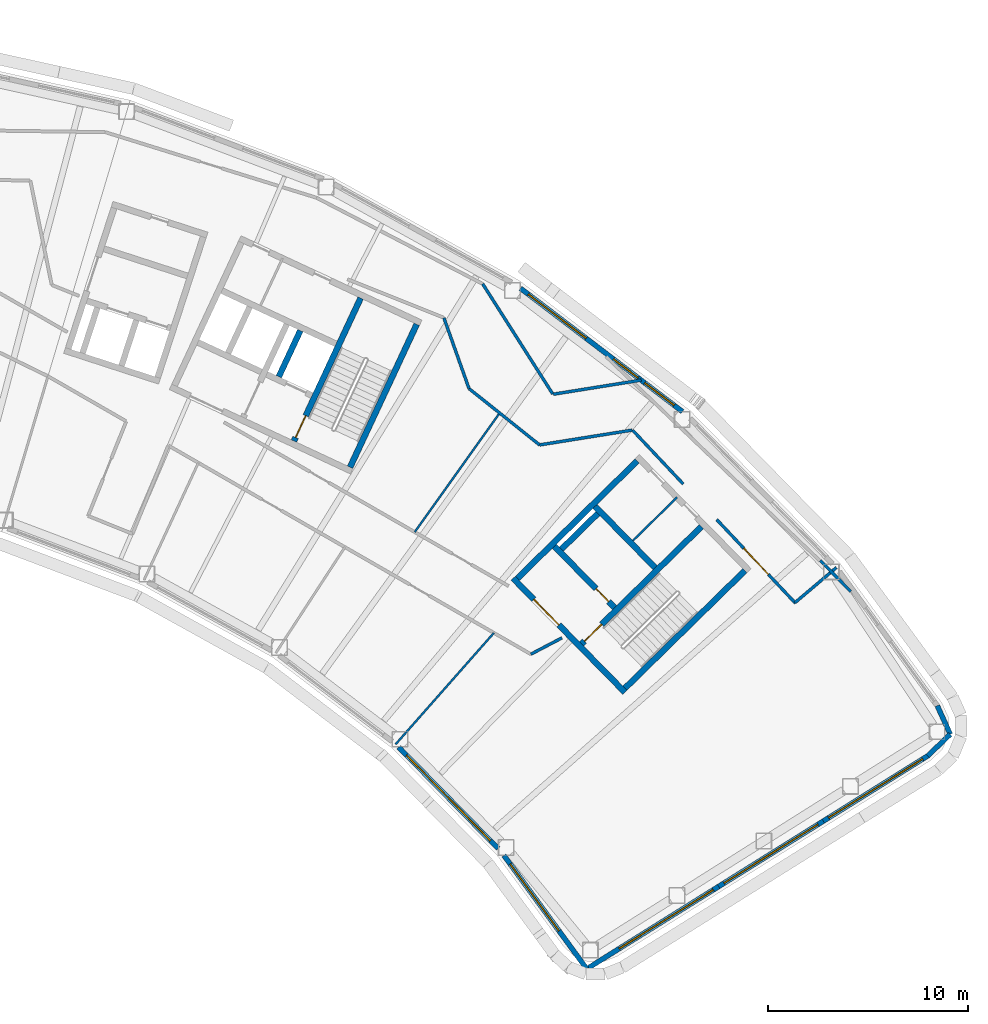
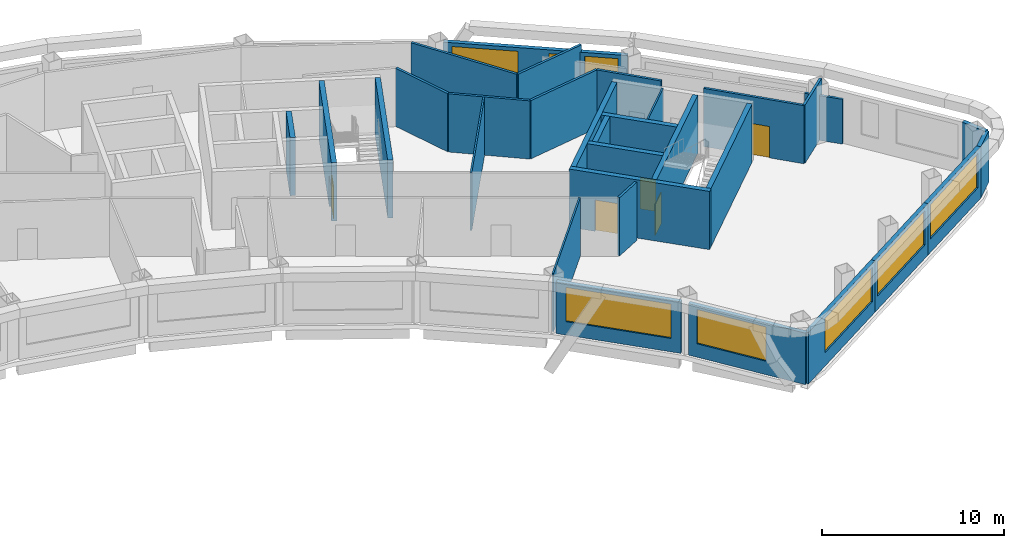
# One storey, part 9 of 14: 31 walls, 8 windows, 5 doors, 13 openings.
"""IFC4 building model written with IfcOpenShell, lengths in metres."""

from ifc_helpers import new_model, si_unit, direction, frame, frame_2d, origin, place, context, subcontext, project, spatial, rectangle, extrude, material, layer, layer_set, type_object, element, fill, save


model = new_model("IFC4")

# Units and contexts
model_context = context("Model", 3, precision=1e-05, world=origin(), true_north=direction((0.0, 1.0)))
body_context = subcontext(model_context, "Body", "Model", "MODEL_VIEW")
ifc_project = project(units=[si_unit("LENGTHUNIT", "METRE"), si_unit("AREAUNIT", "SQUARE_METRE"), si_unit("VOLUMEUNIT", "CUBIC_METRE"), si_unit("PLANEANGLEUNIT", "RADIAN"), si_unit("MASSUNIT", "GRAM", prefix="KILO")], contexts=[model_context])

# Site, building, storey
site_placement = place(None, origin())
site = spatial("IfcSite", under=ifc_project, at=site_placement, CompositionType="ELEMENT")
building_placement = place(site_placement, origin())
building = spatial("IfcBuilding", under=site, at=building_placement, Name="Tuul Gate Civic Tower", CompositionType="ELEMENT")
storey_placement = place(building_placement, frame((0.0, 0.0, 323.89990234375)))
storey = spatial("IfcBuildingStorey", under=building, at=storey_placement, Name="Level 73", CompositionType="ELEMENT", Elevation=323.89990234375)

# Wall, opening, door
ifc_material_1 = material(Name="Concrete C50/60", Category="concrete")
ifc_layer_1 = layer(ifc_material_1, 0.300048828125)
ifc_layer_set_1 = layer_set([ifc_layer_1], Name="Concrete C50/60")
wall_type_1 = type_object("IfcWallType", Name="Core wall C50/60", PredefinedType="SHEAR", material=ifc_layer_set_1)
wall_1_placement = place(storey_placement, frame((48.22509765625, -18.327880859375, 0.0), z_axis=(0.0, 0.0, 1.0), x_axis=(-0.700021979774, 0.714121297703, 0.0)))
wall_1 = element("IfcWall", 1, at=wall_1_placement, inside=storey, type_object=wall_type_1, Name="Core wall", PredefinedType="SHEAR", context=body_context, shape_type="SweptSolid", body=[
    extrude(rectangle(XDim=8.0, YDim=0.300048828125, at=frame_2d((4.0, 0.0))), origin(), (0.0, 0.0, 1.0), 3.900146484375),
])
opening_1_placement = place(wall_1_placement, frame((4.72509765625, 0.0, 0.0)))
opening_1 = element("IfcOpeningElement", 2, at=opening_1_placement, cuts=wall_1, Name="Opening LB-E1-LOBBY-1", PredefinedType="OPENING", context=body_context, shape_type="SweptSolid", body=[
    extrude(rectangle(XDim=1.800048828125, YDim=2.10009765625, at=frame_2d((0.89990234375, 1.050048828125))), frame((0.0, 0.16015625, 0.0), z_axis=(0.0, -1.0, 0.0), x_axis=(1.0, 0.0, 0.0)), (0.0, 0.0, 1.0), 0.320068359375),
])
ifc_material_2 = material(Name="Steel", Category="steel")
door_type_1 = type_object("IfcDoorType", Name="Lobby door", OperationType="DOUBLE_DOOR_SINGLE_SWING", PredefinedType="DOOR", material=ifc_material_2)
door_1_placement = place(opening_1_placement, frame((1.800048828125, 0.0, 0.0), z_axis=(0.0, 0.0, 1.0), x_axis=(-1.0, 0.0, 0.0)))
door_1 = element("IfcDoor", 3, at=door_1_placement, inside=storey, type_object=door_type_1, Name="Lobby door E1-LOBBY", OperationType="DOUBLE_DOOR_SINGLE_SWING", OverallHeight=2.10009765625, OverallWidth=1.800048828125, PredefinedType="DOOR", context=body_context, shape_type="SweptSolid", body=[
    extrude(rectangle(XDim=1.800048828125, YDim=2.10009765625, at=frame_2d((0.900146484375, 1.050048828125))), frame((0.0, 0.02490234375, 0.0), z_axis=(0.0, -1.0, 0.0), x_axis=(1.0, 0.0, 0.0)), (0.0, 0.0, 1.0), 0.050048828125),
])
fill(opening_1, door_1)

wall_2_placement = place(storey_placement, frame((47.701904296875, -14.079833984375, 0.0), z_axis=(0.0, 0.0, 1.0), x_axis=(-0.700002721075, 0.714140175657, 0.0)))
wall_2 = element("IfcWall", 4, at=wall_2_placement, inside=storey, type_object=wall_type_1, Name="Core wall", PredefinedType="SHEAR", context=body_context, shape_type="SweptSolid", body=[
    extrude(rectangle(XDim=4.300048828125, YDim=0.300048828125, at=frame_2d((2.14990234375, 0.0))), origin(), (0.0, 0.0, 1.0), 3.900146484375),
])
opening_2_placement = place(wall_2_placement, frame((0.425048828125, 0.0, 0.0)))
opening_2 = element("IfcOpeningElement", 5, at=opening_2_placement, cuts=wall_2, Name="Opening FB-E1A1", PredefinedType="OPENING", context=body_context, shape_type="SweptSolid", body=[
    extrude(rectangle(XDim=0.89990234375, YDim=2.10009765625, at=frame_2d((0.449951171875, 1.050048828125))), frame((0.0, 0.16015625, 0.0), z_axis=(0.0, -1.0, 0.0), x_axis=(1.0, 0.0, 0.0)), (0.0, 0.0, 1.0), 0.320068359375),
])
ifc_material_3 = material(Name="Steel", Category="steel")
door_type_2 = type_object("IfcDoorType", Name="Store door", OperationType="NOTDEFINED", PredefinedType="DOOR", material=ifc_material_3)
door_2_placement = place(opening_2_placement, frame((0.89990234375, 0.0, 0.0), z_axis=(0.0, 0.0, 1.0), x_axis=(-1.0, 0.0, 0.0)))
door_2 = element("IfcDoor", 6, at=door_2_placement, inside=storey, type_object=door_type_2, Name="Store door E1A1", OperationType="SINGLE_SWING_RIGHT", OverallHeight=2.10009765625, OverallWidth=0.89990234375, PredefinedType="DOOR", context=body_context, shape_type="SweptSolid", body=[
    extrude(rectangle(XDim=0.89990234375, YDim=2.10009765625, at=frame_2d((0.449951171875, 1.050048828125))), frame((0.0, 0.02490234375, 0.0), z_axis=(0.0, -1.0, 0.0), x_axis=(1.0, 0.0, 0.0)), (0.0, 0.0, 1.0), 0.050048828125),
])
fill(opening_2, door_2)

# Walls
wall_3_placement = place(storey_placement, frame((49.737060546875, -12.0849609375, 0.0), z_axis=(0.0, 0.0, 1.0), x_axis=(-0.700002721075, 0.714140175657, 0.0)))
element("IfcWall", 7, at=wall_3_placement, inside=storey, type_object=wall_type_1, Name="Core wall", PredefinedType="SHEAR", context=body_context, shape_type="SweptSolid", body=[
    extrude(rectangle(XDim=4.300048828125, YDim=0.300048828125, at=frame_2d((2.14990234375, 0.0))), origin(), (0.0, 0.0, 1.0), 3.900146484375),
])
wall_4_placement = place(storey_placement, frame((48.227294921875, -18.115966796875, 0.0), z_axis=(0.0, 0.0, 1.0), x_axis=(0.714105315431, 0.700038283577, 0.0)))
element("IfcWall", 8, at=wall_4_placement, inside=storey, type_object=wall_type_1, Name="Core wall", PredefinedType="SHEAR", context=body_context, shape_type="SweptSolid", body=[
    extrude(rectangle(XDim=8.400146484375, YDim=0.300048828125, at=frame_2d((4.2001953125, 0.0))), origin(), (0.0, 0.0, 1.0), 3.900146484375),
])

# Wall, opening, door
wall_5_placement = place(storey_placement, frame((46.05712890625, -15.902099609375, 0.0), z_axis=(0.0, 0.0, 1.0), x_axis=(0.714134086973, 0.700008932674, 0.0)))
wall_5 = element("IfcWall", 9, at=wall_5_placement, inside=storey, type_object=wall_type_1, Name="Core wall", PredefinedType="SHEAR", context=body_context, shape_type="SweptSolid", body=[
    extrude(rectangle(XDim=8.400146484375, YDim=0.300048828125, at=frame_2d((4.2001953125, 0.0))), origin(), (0.0, 0.0, 1.0), 3.900146484375),
])
opening_3_placement = place(wall_5_placement, frame((0.199951171875, 0.0, 0.0)))
opening_3 = element("IfcOpeningElement", 10, at=opening_3_placement, cuts=wall_5, Name="Opening SD-ST-3", PredefinedType="OPENING", context=body_context, shape_type="SweptSolid", body=[
    extrude(rectangle(XDim=1.199951171875, YDim=2.10009765625, at=frame_2d((0.60009765625, 1.050048828125))), frame((0.0, 0.16015625, 0.0), z_axis=(0.0, -1.0, 0.0), x_axis=(1.0, 0.0, 0.0)), (0.0, 0.0, 1.0), 0.320068359375),
])
ifc_material_4 = material(Name="Steel", Category="steel")
door_type_3 = type_object("IfcDoorType", Name="Stair door", OperationType="NOTDEFINED", PredefinedType="DOOR", material=ifc_material_4)
door_3_placement = place(opening_3_placement, origin())
door_3 = element("IfcDoor", 11, at=door_3_placement, inside=storey, type_object=door_type_3, Name="Stair door ST-3", OperationType="SINGLE_SWING_LEFT", OverallHeight=2.10009765625, OverallWidth=1.199951171875, PredefinedType="DOOR", context=body_context, shape_type="SweptSolid", body=[
    extrude(rectangle(XDim=1.199951171875, YDim=2.10009765625, at=frame_2d((0.60009765625, 1.050048828125))), frame((0.0, 0.02490234375, 0.0), z_axis=(0.0, -1.0, 0.0), x_axis=(1.0, 0.0, 0.0)), (0.0, 0.0, 1.0), 0.050048828125),
])
fill(opening_3, door_3)

# Walls
wall_6_placement = place(storey_placement, frame((45.0439453125, -11.154052734375, 0.0), z_axis=(0.0, 0.0, 1.0), x_axis=(0.714108498262, 0.700035036773, 0.0)))
element("IfcWall", 12, at=wall_6_placement, inside=storey, type_object=wall_type_1, Name="Core wall", PredefinedType="SHEAR", context=body_context, shape_type="SweptSolid", body=[
    extrude(rectangle(XDim=2.550048828125, YDim=0.300048828125, at=frame_2d((1.27490234375, 0.0))), origin(), (0.0, 0.0, 1.0), 3.900146484375),
])
wall_7_placement = place(storey_placement, frame((42.837158203125, -12.616943359375, 0.0), z_axis=(0.0, 0.0, 1.0), x_axis=(0.714119844755, 0.700023461983, 0.0)))
element("IfcWall", 13, at=wall_7_placement, inside=storey, type_object=wall_type_1, Name="Core wall", PredefinedType="SHEAR", context=body_context, shape_type="SweptSolid", body=[
    extrude(rectangle(XDim=8.39990234375, YDim=0.300048828125, at=frame_2d((4.199951171875, 0.0))), origin(), (0.0, 0.0, 1.0), 3.900146484375),
])
wall_8_placement = place(storey_placement, frame((34.455810546875, -7.05078125, 0.0), z_axis=(0.0, 0.0, 1.0), x_axis=(0.422570768258, 0.906329932096, 0.0)))
element("IfcWall", 14, at=wall_8_placement, inside=storey, type_object=wall_type_1, Name="Core wall", PredefinedType="SHEAR", context=body_context, shape_type="SweptSolid", body=[
    extrude(rectangle(XDim=7.900146484375, YDim=0.300048828125, at=frame_2d((3.9501953125, 0.0))), origin(), (0.0, 0.0, 1.0), 3.900146484375),
])

# Wall, opening, door
wall_9_placement = place(storey_placement, frame((31.646240234375, -5.740478515625, 0.0), z_axis=(0.0, 0.0, 1.0), x_axis=(0.422582604137, 0.906324413596, 0.0)))
wall_9 = element("IfcWall", 15, at=wall_9_placement, inside=storey, type_object=wall_type_1, Name="Core wall", PredefinedType="SHEAR", context=body_context, shape_type="SweptSolid", body=[
    extrude(rectangle(XDim=7.89990234375, YDim=0.300048828125, at=frame_2d((3.949951171875, 0.0))), origin(), (0.0, 0.0, 1.0), 3.900146484375),
])
opening_4_placement = place(wall_9_placement, frame((0.199951171875, 0.0, 0.0)))
opening_4 = element("IfcOpeningElement", 16, at=opening_4_placement, cuts=wall_9, Name="Opening SD-ST-4", PredefinedType="OPENING", context=body_context, shape_type="SweptSolid", body=[
    extrude(rectangle(XDim=1.199951171875, YDim=2.10009765625, at=frame_2d((0.60009765625, 1.050048828125))), frame((0.0, 0.16015625, 0.0), z_axis=(0.0, -1.0, 0.0), x_axis=(1.0, 0.0, 0.0)), (0.0, 0.0, 1.0), 0.320068359375),
])
door_4_placement = place(opening_4_placement, origin())
door_4 = element("IfcDoor", 17, at=door_4_placement, inside=storey, type_object=door_type_3, Name="Stair door ST-4", OperationType="SINGLE_SWING_LEFT", OverallHeight=2.10009765625, OverallWidth=1.199951171875, PredefinedType="DOOR", context=body_context, shape_type="SweptSolid", body=[
    extrude(rectangle(XDim=1.199951171875, YDim=2.10009765625, at=frame_2d((0.60009765625, 1.050048828125))), frame((0.0, 0.02490234375, 0.0), z_axis=(0.0, -1.0, 0.0), x_axis=(1.0, 0.0, 0.0)), (0.0, 0.0, 1.0), 0.050048828125),
])
fill(opening_4, door_4)

# Walls
wall_10_placement = place(storey_placement, frame((30.886962890625, -2.517822265625, 0.0), z_axis=(0.0, 0.0, 1.0), x_axis=(0.422612891016, 0.906310291427, 0.0)))
element("IfcWall", 18, at=wall_10_placement, inside=storey, type_object=wall_type_1, Name="Core wall", PredefinedType="SHEAR", context=body_context, shape_type="SweptSolid", body=[
    extrude(rectangle(XDim=2.550048828125, YDim=0.300048828125, at=frame_2d((1.27490234375, 0.0))), origin(), (0.0, 0.0, 1.0), 3.900146484375),
])
ifc_material_5 = material(Name="Gypsum board partition")
ifc_layer_2 = layer(ifc_material_5, 0.14990234375)
ifc_layer_set_2 = layer_set([ifc_layer_2], Name="Gypsum board partition")
wall_type_2 = type_object("IfcWallType", Name="Corridor wall P150", PredefinedType="PARTITIONING", material=ifc_layer_set_2)
wall_11_placement = place(storey_placement, frame((56.740966796875, -13.83349609375, 0.0), z_axis=(0.0, 0.0, 1.0), x_axis=(0.762773319924, 0.64666595891, 0.0)))
element("IfcWall", 19, at=wall_11_placement, inside=storey, type_object=wall_type_2, Name="p007", PredefinedType="PARTITIONING", context=body_context, shape_type="SweptSolid", body=[
    extrude(rectangle(XDim=2.720947265625, YDim=0.14990234375, at=frame_2d((1.3603515625, 0.0))), origin(), (0.0, 0.0, 1.0), 3.900146484375),
])
wall_12_placement = place(storey_placement, frame((44.63037109375, -3.39404296875, 0.0), z_axis=(0.0, 0.0, 1.0), x_axis=(0.987453930553, 0.157907362192, 0.0)))
element("IfcWall", 20, at=wall_12_placement, inside=storey, type_object=wall_type_2, Name="p010", PredefinedType="PARTITIONING", context=body_context, shape_type="SweptSolid", body=[
    extrude(rectangle(XDim=4.466796875, YDim=0.14990234375, at=frame_2d((2.2333984375, 0.0))), origin(), (0.0, 0.0, 1.0), 3.900146484375),
])
wall_13_placement = place(storey_placement, frame((41.098388671875, 2.130859375, 0.0), z_axis=(0.0, 0.0, 1.0), x_axis=(0.537015617455, -0.84357230076, 0.0)))
element("IfcWall", 21, at=wall_13_placement, inside=storey, type_object=wall_type_2, Name="p011", PredefinedType="PARTITIONING", context=body_context, shape_type="SweptSolid", body=[
    extrude(rectangle(XDim=6.538330078125, YDim=0.14990234375, at=frame_2d((3.26904296875, 0.0))), origin(), (0.0, 0.0, 1.0), 3.900146484375),
])
wall_14_placement = place(storey_placement, frame((43.51123046875, -16.415283203125, 0.0), z_axis=(0.0, 0.0, 1.0), x_axis=(0.885516348917, 0.464608217535, 0.0)))
element("IfcWall", 22, at=wall_14_placement, inside=storey, type_object=wall_type_2, Name="p060", PredefinedType="PARTITIONING", context=body_context, shape_type="SweptSolid", body=[
    extrude(rectangle(XDim=1.759765625, YDim=0.14990234375, at=frame_2d((0.8798828125, 0.0))), origin(), (0.0, 0.0, 1.0), 3.900146484375),
])
wall_15_placement = place(storey_placement, frame((48.60791015625, -5.19775390625, 0.0), z_axis=(0.0, 0.0, 1.0), x_axis=(0.685442892351, -0.728126391037, 0.0)))
element("IfcWall", 23, at=wall_15_placement, inside=storey, type_object=wall_type_2, Name="p061", PredefinedType="PARTITIONING", context=body_context, shape_type="SweptSolid", body=[
    extrude(rectangle(XDim=3.70068359375, YDim=0.14990234375, at=frame_2d((1.850341796875, 0.0))), origin(), (0.0, 0.0, 1.0), 3.900146484375),
])

# Wall, opening, door
wall_16_placement = place(storey_placement, frame((52.81787109375, -9.66943359375, 0.0), z_axis=(0.0, 0.0, 1.0), x_axis=(0.685451920603, -0.728117891925, 0.0)))
wall_16 = element("IfcWall", 24, at=wall_16_placement, inside=storey, type_object=wall_type_2, Name="p062", PredefinedType="PARTITIONING", context=body_context, shape_type="SweptSolid", body=[
    extrude(rectangle(XDim=5.76220703125, YDim=0.14990234375, at=frame_2d((2.881103515625, 0.0))), origin(), (0.0, 0.0, 1.0), 3.900146484375),
])
opening_5_placement = place(wall_16_placement, frame((1.981201171875, 0.0, 0.0)))
opening_5 = element("IfcOpeningElement", 25, at=opening_5_placement, cuts=wall_16, Name="Opening AA-D09", PredefinedType="OPENING", context=body_context, shape_type="SweptSolid", body=[
    extrude(rectangle(XDim=1.800048828125, YDim=2.10009765625, at=frame_2d((0.89990234375, 1.050048828125))), frame((0.0, 0.0849609375, 0.0), z_axis=(0.0, -1.0, 0.0), x_axis=(1.0, 0.0, 0.0)), (0.0, 0.0, 1.0), 0.169921875),
])
ifc_material_6 = material(Name="Timber door leaf, double", Category="wood")
door_type_4 = type_object("IfcDoorType", Name="Door D18", OperationType="DOUBLE_DOOR_SINGLE_SWING", PredefinedType="DOOR", material=ifc_material_6)
door_5_placement = place(opening_5_placement, origin())
door_5 = element("IfcDoor", 26, at=door_5_placement, inside=storey, type_object=door_type_4, Name="Door AA-D09", OperationType="DOUBLE_DOOR_SINGLE_SWING", OverallHeight=2.10009765625, OverallWidth=1.800048828125, PredefinedType="DOOR", context=body_context, shape_type="SweptSolid", body=[
    extrude(rectangle(XDim=1.800048828125, YDim=2.10009765625, at=frame_2d((0.89990234375, 1.050048828125))), frame((0.0, 0.02490234375, 0.0), z_axis=(0.0, -1.0, 0.0), x_axis=(1.0, 0.0, 0.0)), (0.0, 0.0, 1.0), 0.050048828125),
])
fill(opening_5, door_5)

# Walls
wall_17_placement = place(storey_placement, frame((40.414794921875, -3.113037109375, 0.0), z_axis=(0.0, 0.0, 1.0), x_axis=(0.781558446136, -0.623832024886, 0.0)))
element("IfcWall", 27, at=wall_17_placement, inside=storey, type_object=wall_type_2, Name="p099", PredefinedType="PARTITIONING", context=body_context, shape_type="SweptSolid", body=[
    extrude(rectangle(XDim=4.521240234375, YDim=0.14990234375, at=frame_2d((2.2607421875, 0.0))), origin(), (0.0, 0.0, 1.0), 3.900146484375),
])
wall_18_placement = place(storey_placement, frame((43.948486328125, -5.93359375, 0.0), z_axis=(0.0, 0.0, 1.0), x_axis=(0.987451003426, 0.157925665531, 0.0)))
element("IfcWall", 28, at=wall_18_placement, inside=storey, type_object=wall_type_2, Name="p100", PredefinedType="PARTITIONING", context=body_context, shape_type="SweptSolid", body=[
    extrude(rectangle(XDim=4.69970703125, YDim=0.14990234375, at=frame_2d((2.349853515625, 0.0))), origin(), (0.0, 0.0, 1.0), 3.900146484375),
])
wall_19_placement = place(storey_placement, frame((39.156494140625, 0.427490234375, 0.0), z_axis=(0.0, 0.0, 1.0), x_axis=(0.334730121069, -0.942314037914, 0.0)))
element("IfcWall", 29, at=wall_19_placement, inside=storey, type_object=wall_type_2, Name="p102", PredefinedType="PARTITIONING", context=body_context, shape_type="SweptSolid", body=[
    extrude(rectangle(XDim=3.75634765625, YDim=0.14990234375, at=frame_2d((1.878173828125, 0.0))), origin(), (0.0, 0.0, 1.0), 3.900146484375),
])
ifc_material_7 = material(Name="Gypsum board partition")
ifc_layer_3 = layer(ifc_material_7, 0.14990234375)
ifc_layer_set_3 = layer_set([ifc_layer_3], Name="Gypsum board partition")
wall_type_3 = type_object("IfcWallType", Name="Corridor wall P150 3000 HIGH", PredefinedType="PARTITIONING", material=ifc_layer_set_3)
wall_20_placement = place(storey_placement, frame((58.01318359375, -11.725830078125, 0.0), z_axis=(0.0, 0.0, 1.0), x_axis=(0.700000714214, -0.714142142784, 0.0)))
element("IfcWall", 30, at=wall_20_placement, inside=storey, type_object=wall_type_3, Name="p006", PredefinedType="PARTITIONING", context=body_context, shape_type="SweptSolid", body=[
    extrude(rectangle(XDim=2.17529296875, YDim=0.14990234375, at=frame_2d((1.087646484375, 0.0))), origin(), (0.0, 0.0, 1.0), 3.0),
])
ifc_material_8 = material(Name="Precast concrete C40/50", Category="concrete")
ifc_layer_4 = layer(ifc_material_8, 0.25)
ifc_layer_set_4 = layer_set([ifc_layer_4], Name="Precast concrete C40/50")
wall_type_4 = type_object("IfcWallType", Name="External wall", PredefinedType="STANDARD", material=ifc_layer_set_4)
wall_21_placement = place(storey_placement, frame((63.382568359375, -21.513671875, 0.0), z_axis=(0.0, 0.0, 1.0), x_axis=(0.722162740816, 0.691723193031, 0.0)))
element("IfcWall", 31, at=wall_21_placement, inside=storey, type_object=wall_type_4, Name="External wall", PredefinedType="STANDARD", context=body_context, shape_type="SweptSolid", body=[
    extrude(rectangle(XDim=1.572021484375, YDim=0.25, at=frame_2d((0.7861328125, 0.0))), origin(), (0.0, 0.0, 1.0), 3.4501953125),
])
wall_22_placement = place(storey_placement, frame((64.517822265625, -20.42626953125, 0.0), z_axis=(0.0, 0.0, 1.0), x_axis=(-0.413463423134, 0.910520728886, 0.0)))
element("IfcWall", 32, at=wall_22_placement, inside=storey, type_object=wall_type_4, Name="External wall", PredefinedType="STANDARD", context=body_context, shape_type="SweptSolid", body=[
    extrude(rectangle(XDim=1.5712890625, YDim=0.25, at=frame_2d((0.78564453125, 0.0))), origin(), (0.0, 0.0, 1.0), 3.4501953125),
])

# Wall, openings, windows
wall_23_placement = place(storey_placement, frame((51.100341796875, -4.262939453125, 0.0), z_axis=(0.0, 0.0, 1.0), x_axis=(-0.795619798905, 0.605796282252, 0.0)))
wall_23 = element("IfcWall", 33, at=wall_23_placement, inside=storey, type_object=wall_type_4, Name="External wall", PredefinedType="STANDARD", context=body_context, shape_type="SweptSolid", body=[
    extrude(rectangle(XDim=10.18896484375, YDim=0.25, at=frame_2d((5.094482421875, 0.0))), origin(), (0.0, 0.0, 1.0), 3.4501953125),
])
opening_6_placement = place(wall_23_placement, frame((6.057861328125, 0.0, 0.89990234375)))
opening_6 = element("IfcOpeningElement", 34, at=opening_6_placement, cuts=wall_23, Name="Opening W76", PredefinedType="OPENING", context=body_context, shape_type="SweptSolid", body=[
    extrude(rectangle(XDim=3.64990234375, YDim=2.300048828125, at=frame_2d((1.824951171875, 1.14990234375))), frame((0.0, 0.135009765625, 0.0), z_axis=(0.0, -1.0, 0.0), x_axis=(1.0, 0.0, 0.0)), (0.0, 0.0, 1.0), 0.27001953125),
])
opening_7_placement = place(wall_23_placement, frame((0.51806640625, 0.0, 0.89990234375)))
opening_7 = element("IfcOpeningElement", 35, at=opening_7_placement, cuts=wall_23, Name="Opening W77", PredefinedType="OPENING", context=body_context, shape_type="SweptSolid", body=[
    extrude(rectangle(XDim=1.85009765625, YDim=2.300048828125, at=frame_2d((0.925048828125, 1.14990234375))), frame((0.0, 0.135009765625, 0.0), z_axis=(0.0, -1.0, 0.0), x_axis=(1.0, 0.0, 0.0)), (0.0, 0.0, 1.0), 0.27001953125),
])
opening_8_placement = place(wall_23_placement, frame((2.79296875, 0.0, 0.89990234375)))
opening_8 = element("IfcOpeningElement", 36, at=opening_8_placement, cuts=wall_23, Name="Opening W60", PredefinedType="OPENING", context=body_context, shape_type="SweptSolid", body=[
    extrude(rectangle(XDim=1.550048828125, YDim=2.300048828125, at=frame_2d((0.77490234375, 1.14990234375))), frame((0.0, 0.135009765625, 0.0), z_axis=(0.0, -1.0, 0.0), x_axis=(1.0, 0.0, 0.0)), (0.0, 0.0, 1.0), 0.27001953125),
])
ifc_material_9 = material(Name="Glass", Category="glass")
window_type_1 = type_object("IfcWindowType", Name="Window 1550 x 2300", PartitioningType="SINGLE_PANEL", PredefinedType="WINDOW", material=ifc_material_9)
window_1_placement = place(opening_8_placement, origin())
window_1 = element("IfcWindow", 37, at=window_1_placement, inside=storey, type_object=window_type_1, Name="Window", OverallHeight=2.300048828125, OverallWidth=1.550048828125, PartitioningType="SINGLE_PANEL", PredefinedType="WINDOW", context=body_context, shape_type="SweptSolid", body=[
    extrude(rectangle(XDim=1.550048828125, YDim=2.300048828125, at=frame_2d((0.77490234375, 1.14990234375))), frame((0.0, 0.030029296875, 0.0), z_axis=(0.0, -1.0, 0.0), x_axis=(1.0, 0.0, 0.0)), (0.0, 0.0, 1.0), 0.06005859375),
])
fill(opening_8, window_1)
ifc_material_10 = material(Name="Glass", Category="glass")
window_type_2 = type_object("IfcWindowType", Name="Window 1850 x 2300", PartitioningType="SINGLE_PANEL", PredefinedType="WINDOW", material=ifc_material_10)
window_2_placement = place(opening_7_placement, origin())
window_2 = element("IfcWindow", 38, at=window_2_placement, inside=storey, type_object=window_type_2, Name="Window", OverallHeight=2.300048828125, OverallWidth=1.85009765625, PartitioningType="SINGLE_PANEL", PredefinedType="WINDOW", context=body_context, shape_type="SweptSolid", body=[
    extrude(rectangle(XDim=1.85009765625, YDim=2.300048828125, at=frame_2d((0.925048828125, 1.14990234375))), frame((0.0, 0.030029296875, 0.0), z_axis=(0.0, -1.0, 0.0), x_axis=(1.0, 0.0, 0.0)), (0.0, 0.0, 1.0), 0.06005859375),
])
fill(opening_7, window_2)
ifc_material_11 = material(Name="Glass", Category="glass")
window_type_3 = type_object("IfcWindowType", Name="Window 3650 x 2300", PartitioningType="SINGLE_PANEL", PredefinedType="WINDOW", material=ifc_material_11)
window_3_placement = place(opening_6_placement, origin())
window_3 = element("IfcWindow", 39, at=window_3_placement, inside=storey, type_object=window_type_3, Name="Window", OverallHeight=2.300048828125, OverallWidth=3.64990234375, PartitioningType="SINGLE_PANEL", PredefinedType="WINDOW", context=body_context, shape_type="SweptSolid", body=[
    extrude(rectangle(XDim=3.64990234375, YDim=2.300048828125, at=frame_2d((1.824951171875, 1.14990234375))), frame((0.0, 0.030029296875, 0.0), z_axis=(0.0, -1.0, 0.0), x_axis=(1.0, 0.0, 0.0)), (0.0, 0.0, 1.0), 0.06005859375),
])
fill(opening_6, window_3)

# Wall, opening, window
wall_24_placement = place(storey_placement, frame((36.894775390625, -21.074951171875, 0.0), z_axis=(0.0, 0.0, 1.0), x_axis=(0.700102647984, -0.714042213238, 0.0)))
wall_24 = element("IfcWall", 40, at=wall_24_placement, inside=storey, type_object=wall_type_4, Name="External wall", PredefinedType="STANDARD", context=body_context, shape_type="SweptSolid", body=[
    extrude(rectangle(XDim=7.11083984375, YDim=0.25, at=frame_2d((3.555419921875, 0.0))), origin(), (0.0, 0.0, 1.0), 3.4501953125),
])
opening_9_placement = place(wall_24_placement, frame((0.55517578125, 0.0, 0.89990234375)))
opening_9 = element("IfcOpeningElement", 41, at=opening_9_placement, cuts=wall_24, Name="Opening W26", PredefinedType="OPENING", context=body_context, shape_type="SweptSolid", body=[
    extrude(rectangle(XDim=6.0, YDim=2.300048828125, at=frame_2d((3.0, 1.14990234375))), frame((0.0, 0.135009765625, 0.0), z_axis=(0.0, -1.0, 0.0), x_axis=(1.0, 0.0, 0.0)), (0.0, 0.0, 1.0), 0.27001953125),
])
ifc_material_12 = material(Name="Glass", Category="glass")
window_type_4 = type_object("IfcWindowType", Name="Window W26 6000 x 2300", PartitioningType="SINGLE_PANEL", PredefinedType="WINDOW", material=ifc_material_12)
window_4_placement = place(opening_9_placement, origin())
window_4 = element("IfcWindow", 42, at=window_4_placement, inside=storey, type_object=window_type_4, Name="Window", OverallHeight=2.300048828125, OverallWidth=6.0, PartitioningType="SINGLE_PANEL", PredefinedType="WINDOW", context=body_context, shape_type="SweptSolid", body=[
    extrude(rectangle(XDim=6.0, YDim=2.300048828125, at=frame_2d((3.0, 1.14990234375))), frame((0.0, 0.030029296875, 0.0), z_axis=(0.0, -1.0, 0.0), x_axis=(1.0, 0.0, 0.0)), (0.0, 0.0, 1.0), 0.06005859375),
])
fill(opening_9, window_4)

wall_25_placement = place(storey_placement, frame((42.163330078125, -26.4970703125, 0.0), z_axis=(0.0, 0.0, 1.0), x_axis=(0.589749390831, -0.8075863149, 0.0)))
wall_25 = element("IfcWall", 43, at=wall_25_placement, inside=storey, type_object=wall_type_4, Name="External wall", PredefinedType="STANDARD", context=body_context, shape_type="SweptSolid", body=[
    extrude(rectangle(XDim=7.033935546875, YDim=0.25, at=frame_2d((3.51708984375, 0.0))), origin(), (0.0, 0.0, 1.0), 3.4501953125),
])
opening_10_placement = place(wall_25_placement, frame((0.5263671875, 0.0, 0.89990234375)))
opening_10 = element("IfcOpeningElement", 44, at=opening_10_placement, cuts=wall_25, Name="Opening W25", PredefinedType="OPENING", context=body_context, shape_type="SweptSolid", body=[
    extrude(rectangle(XDim=4.14990234375, YDim=2.300048828125, at=frame_2d((2.074951171875, 1.14990234375))), frame((0.0, 0.135009765625, 0.0), z_axis=(0.0, -1.0, 0.0), x_axis=(1.0, 0.0, 0.0)), (0.0, 0.0, 1.0), 0.27001953125),
])
ifc_material_13 = material(Name="Glass", Category="glass")
window_type_5 = type_object("IfcWindowType", Name="Window W25 4150 x 2300", PartitioningType="SINGLE_PANEL", PredefinedType="WINDOW", material=ifc_material_13)
window_5_placement = place(opening_10_placement, origin())
window_5 = element("IfcWindow", 45, at=window_5_placement, inside=storey, type_object=window_type_5, Name="Window", OverallHeight=2.300048828125, OverallWidth=4.14990234375, PartitioningType="SINGLE_PANEL", PredefinedType="WINDOW", context=body_context, shape_type="SweptSolid", body=[
    extrude(rectangle(XDim=4.14990234375, YDim=2.300048828125, at=frame_2d((2.074951171875, 1.14990234375))), frame((0.0, 0.030029296875, 0.0), z_axis=(0.0, -1.0, 0.0), x_axis=(1.0, 0.0, 0.0)), (0.0, 0.0, 1.0), 0.06005859375),
])
fill(opening_10, window_5)

wall_26_placement = place(storey_placement, frame((46.3115234375, -32.177490234375, 0.0), z_axis=(0.0, 0.0, 1.0), x_axis=(0.848061701049, 0.529897491233, 0.0)))
wall_26 = element("IfcWall", 46, at=wall_26_placement, inside=storey, type_object=wall_type_4, Name="External wall", PredefinedType="STANDARD", context=body_context, shape_type="SweptSolid", body=[
    extrude(rectangle(XDim=7.787841796875, YDim=0.25, at=frame_2d((3.89404296875, 0.0))), origin(), (0.0, 0.0, 1.0), 3.4501953125),
])
opening_11_placement = place(wall_26_placement, frame((1.92138671875, 0.0, 0.89990234375)))
opening_11 = element("IfcOpeningElement", 47, at=opening_11_placement, cuts=wall_26, Name="Opening W24", PredefinedType="OPENING", context=body_context, shape_type="SweptSolid", body=[
    extrude(rectangle(XDim=5.550048828125, YDim=2.300048828125, at=frame_2d((2.77490234375, 1.14990234375))), frame((0.0, 0.135009765625, 0.0), z_axis=(0.0, -1.0, 0.0), x_axis=(1.0, 0.0, 0.0)), (0.0, 0.0, 1.0), 0.27001953125),
])
ifc_material_14 = material(Name="Glass", Category="glass")
window_type_6 = type_object("IfcWindowType", Name="Window W24 5550 x 2300", PartitioningType="SINGLE_PANEL", PredefinedType="WINDOW", material=ifc_material_14)
window_6_placement = place(opening_11_placement, origin())
window_6 = element("IfcWindow", 48, at=window_6_placement, inside=storey, type_object=window_type_6, Name="Window", OverallHeight=2.300048828125, OverallWidth=5.550048828125, PartitioningType="SINGLE_PANEL", PredefinedType="WINDOW", context=body_context, shape_type="SweptSolid", body=[
    extrude(rectangle(XDim=5.550048828125, YDim=2.300048828125, at=frame_2d((2.77490234375, 1.14990234375))), frame((0.0, 0.030029296875, 0.0), z_axis=(0.0, -1.0, 0.0), x_axis=(1.0, 0.0, 0.0)), (0.0, 0.0, 1.0), 0.06005859375),
])
fill(opening_11, window_6)

wall_27_placement = place(storey_placement, frame((52.916015625, -28.05078125, 0.0), z_axis=(0.0, 0.0, 1.0), x_axis=(0.848053758074, 0.529910203164, 0.0)))
wall_27 = element("IfcWall", 49, at=wall_27_placement, inside=storey, type_object=wall_type_4, Name="External wall", PredefinedType="STANDARD", context=body_context, shape_type="SweptSolid", body=[
    extrude(rectangle(XDim=6.182861328125, YDim=0.25, at=frame_2d((3.09130859375, 0.0))), origin(), (0.0, 0.0, 1.0), 3.4501953125),
])
opening_12_placement = place(wall_27_placement, frame((0.31640625, 0.0, 0.89990234375)))
opening_12 = element("IfcOpeningElement", 50, at=opening_12_placement, cuts=wall_27, Name="Opening W24", PredefinedType="OPENING", context=body_context, shape_type="SweptSolid", body=[
    extrude(rectangle(XDim=5.550048828125, YDim=2.300048828125, at=frame_2d((2.77490234375, 1.14990234375))), frame((0.0, 0.135009765625, 0.0), z_axis=(0.0, -1.0, 0.0), x_axis=(1.0, 0.0, 0.0)), (0.0, 0.0, 1.0), 0.27001953125),
])
window_7_placement = place(opening_12_placement, origin())
window_7 = element("IfcWindow", 51, at=window_7_placement, inside=storey, type_object=window_type_6, Name="Window", OverallHeight=2.300048828125, OverallWidth=5.550048828125, PartitioningType="SINGLE_PANEL", PredefinedType="WINDOW", context=body_context, shape_type="SweptSolid", body=[
    extrude(rectangle(XDim=5.550048828125, YDim=2.300048828125, at=frame_2d((2.77490234375, 1.14990234375))), frame((0.0, 0.030029296875, 0.0), z_axis=(0.0, -1.0, 0.0), x_axis=(1.0, 0.0, 0.0)), (0.0, 0.0, 1.0), 0.06005859375),
])
fill(opening_12, window_7)

wall_28_placement = place(storey_placement, frame((58.159423828125, -24.7744140625, 0.0), z_axis=(0.0, 0.0, 1.0), x_axis=(0.848053758074, 0.529910203164, 0.0)))
wall_28 = element("IfcWall", 52, at=wall_28_placement, inside=storey, type_object=wall_type_4, Name="External wall", PredefinedType="STANDARD", context=body_context, shape_type="SweptSolid", body=[
    extrude(rectangle(XDim=6.182861328125, YDim=0.25, at=frame_2d((3.09130859375, 0.0))), origin(), (0.0, 0.0, 1.0), 3.4501953125),
])
opening_13_placement = place(wall_28_placement, frame((0.31640625, 0.0, 0.89990234375)))
opening_13 = element("IfcOpeningElement", 53, at=opening_13_placement, cuts=wall_28, Name="Opening W24", PredefinedType="OPENING", context=body_context, shape_type="SweptSolid", body=[
    extrude(rectangle(XDim=5.550048828125, YDim=2.300048828125, at=frame_2d((2.77490234375, 1.14990234375))), frame((0.0, 0.135009765625, 0.0), z_axis=(0.0, -1.0, 0.0), x_axis=(1.0, 0.0, 0.0)), (0.0, 0.0, 1.0), 0.27001953125),
])
window_8_placement = place(opening_13_placement, origin())
window_8 = element("IfcWindow", 54, at=window_8_placement, inside=storey, type_object=window_type_6, Name="Window", OverallHeight=2.300048828125, OverallWidth=5.550048828125, PartitioningType="SINGLE_PANEL", PredefinedType="WINDOW", context=body_context, shape_type="SweptSolid", body=[
    extrude(rectangle(XDim=5.550048828125, YDim=2.300048828125, at=frame_2d((2.77490234375, 1.14990234375))), frame((0.0, 0.030029296875, 0.0), z_axis=(0.0, -1.0, 0.0), x_axis=(1.0, 0.0, 0.0)), (0.0, 0.0, 1.0), 0.06005859375),
])
fill(opening_13, window_8)

# Walls
ifc_material_15 = material(Name="Gypsum board partition")
ifc_layer_5 = layer(ifc_material_15, 0.10009765625)
ifc_layer_set_5 = layer_set([ifc_layer_5], Name="Gypsum board partition")
wall_type_5 = type_object("IfcWallType", Name="Partition P100", PredefinedType="PARTITIONING", material=ifc_layer_set_5)
wall_29_placement = place(storey_placement, frame((36.739501953125, -20.923583984375, 0.0), z_axis=(0.0, 0.0, 1.0), x_axis=(0.661699829162, 0.749768855106, 0.0)))
element("IfcWall", 55, at=wall_29_placement, inside=storey, type_object=wall_type_5, Name="p057", PredefinedType="PARTITIONING", context=body_context, shape_type="SweptSolid", body=[
    extrude(rectangle(XDim=7.434814453125, YDim=0.10009765625, at=frame_2d((3.71728515625, 0.0))), origin(), (0.0, 0.0, 1.0), 3.900146484375),
])
wall_30_placement = place(storey_placement, frame((37.694580078125, -10.2978515625, 0.0), z_axis=(0.0, 0.0, 1.0), x_axis=(0.580705089708, 0.814113996187, 0.0)))
element("IfcWall", 56, at=wall_30_placement, inside=storey, type_object=wall_type_5, Name="p098", PredefinedType="PARTITIONING", context=body_context, shape_type="SweptSolid", body=[
    extrude(rectangle(XDim=7.322998046875, YDim=0.10009765625, at=frame_2d((3.66162109375, 0.0))), origin(), (0.0, 0.0, 1.0), 3.900146484375),
])
wall_31_placement = place(storey_placement, frame((48.619140625, -10.72998046875, 0.0), z_axis=(0.0, 0.0, 1.0), x_axis=(0.714159293908, 0.699983216173, 0.0)))
element("IfcWall", 57, at=wall_31_placement, inside=storey, type_object=wall_type_5, Name="bE1-BAND-0", PredefinedType="PARTITIONING", context=body_context, shape_type="SweptSolid", body=[
    extrude(rectangle(XDim=3.099853515625, YDim=0.10009765625, at=frame_2d((1.5498046875, 0.0))), origin(), (0.0, 0.0, 1.0), 3.900146484375),
])

save(model, "model.ifc")
